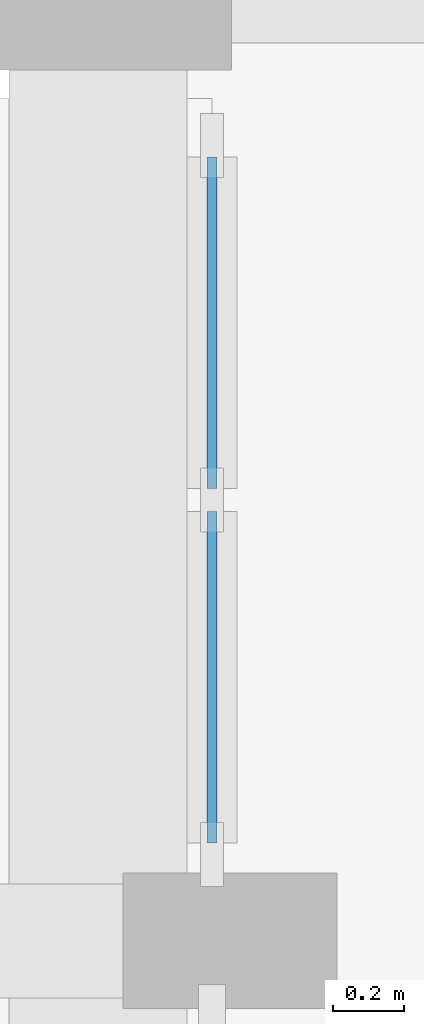
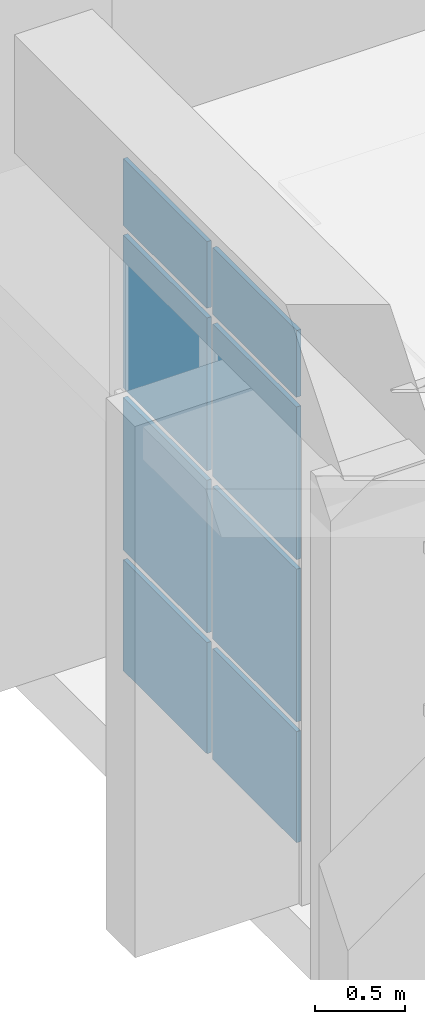
# One storey, part 90 of 155: 8 plates, 1 element without a shape of its own.
"""IFC4 building model written with IfcOpenShell, lengths in metres."""

from ifc_helpers import new_model, si_unit, direction, frame, origin, origin_2d, place, context, subcontext, project, spatial, rectangle, extrude, material, layer, layer_set, type_object, element, aggregate, save


model = new_model("IFC4")

# Units and contexts
model_context = context("Model", 3, precision=1e-05, world=origin(), true_north=direction((0.0, 1.0)))
body_context = subcontext(model_context, "Body", "Model", "MODEL_VIEW")
ifc_project = project(units=[si_unit("LENGTHUNIT", "METRE"), si_unit("AREAUNIT", "SQUARE_METRE"), si_unit("VOLUMEUNIT", "CUBIC_METRE"), si_unit("PLANEANGLEUNIT", "RADIAN"), si_unit("MASSUNIT", "GRAM", prefix="KILO")], contexts=[model_context])

# Site, building, storey
site_placement = place(None, origin())
site = spatial("IfcSite", under=ifc_project, at=site_placement, CompositionType="ELEMENT")
building_placement = place(site_placement, origin())
building = spatial("IfcBuilding", under=site, at=building_placement, Name="Tazarka Park Arena", CompositionType="ELEMENT")
storey_placement = place(building_placement, frame((0.0, 0.0, 5.39990234375)))
storey = spatial("IfcBuildingStorey", under=building, at=storey_placement, Name="L01", CompositionType="ELEMENT", Elevation=5.39990234375)

# Curtain wall, plates
ifc_material_1 = material(Name="Aluminium and low-e glass", Category="aluminium")
ifc_layer_1 = layer(ifc_material_1, 0.179931640625, Name="Aluminium and low-e glass")
ifc_layer_set_1 = layer_set([ifc_layer_1], Name="Aluminium and low-e glass")
curtain_wall_type = type_object("IfcCurtainWallType", Name="CW-21", PredefinedType="NOTDEFINED", material=ifc_layer_set_1)
curtain_wall_placement = place(storey_placement, origin())
curtain_wall = element("IfcCurtainWall", 1, at=curtain_wall_placement, inside=storey, type_object=curtain_wall_type, Name="Curtain Wall CWA-L01-141", PredefinedType="NOTDEFINED")
ifc_material_2 = material(Name="Double low-e insulated glazing", Category="glass")
ifc_layer_2 = layer(ifc_material_2, 0.028076171875, Name="Double low-e insulated glazing")
ifc_layer_set_2 = layer_set([ifc_layer_2], Name="Double low-e insulated glazing")
plate_type = type_object("IfcPlateType", Name="CWP-01", PredefinedType="CURTAIN_PANEL", material=ifc_layer_set_2)
plate_1_placement = place(storey_placement, frame((0.320068359375, 53.92138671875, 0.065185546875), z_axis=(0.0, 0.0, 1.0), x_axis=(0.0, 1.0, 0.0)))
plate_1 = element("IfcPlate", 2, at=plate_1_placement, type_object=plate_type, Name="CW-21 panel 1.1", PredefinedType="CURTAIN_PANEL", context=body_context, shape_type="SweptSolid", body=[
    extrude(rectangle(XDim=0.92919921875, YDim=0.028076171875, at=origin_2d()), origin(), (0.0, 0.0, 1.0), 0.75244140625),
])
plate_2_placement = place(storey_placement, frame((0.320068359375, 53.92138671875, 0.8828125), z_axis=(0.0, 0.0, 1.0), x_axis=(0.0, 1.0, 0.0)))
plate_2 = element("IfcPlate", 3, at=plate_2_placement, type_object=plate_type, Name="CW-21 panel 1.2", PredefinedType="CURTAIN_PANEL", context=body_context, shape_type="SweptSolid", body=[
    extrude(rectangle(XDim=0.92919921875, YDim=0.028076171875, at=origin_2d()), origin(), (0.0, 0.0, 1.0), 1.034912109375),
])
plate_3_placement = place(storey_placement, frame((0.320068359375, 53.92138671875, 1.982421875), z_axis=(0.0, 0.0, 1.0), x_axis=(0.0, 1.0, 0.0)))
plate_3 = element("IfcPlate", 4, at=plate_3_placement, type_object=plate_type, Name="CW-21 panel 1.3", PredefinedType="CURTAIN_PANEL", context=body_context, shape_type="SweptSolid", body=[
    extrude(rectangle(XDim=0.92919921875, YDim=0.028076171875, at=origin_2d()), origin(), (0.0, 0.0, 1.0), 1.034912109375),
])
plate_4_placement = place(storey_placement, frame((0.320068359375, 53.92138671875, 3.08251953125), z_axis=(0.0, 0.0, 1.0), x_axis=(0.0, 1.0, 0.0)))
plate_4 = element("IfcPlate", 5, at=plate_4_placement, type_object=plate_type, Name="CW-21 panel 1.4", PredefinedType="CURTAIN_PANEL", context=body_context, shape_type="SweptSolid", body=[
    extrude(rectangle(XDim=0.92919921875, YDim=0.028076171875, at=origin_2d()), origin(), (0.0, 0.0, 1.0), 0.452392578125),
])
plate_5_placement = place(storey_placement, frame((0.320068359375, 54.91552734375, 0.065185546875), z_axis=(0.0, 0.0, 1.0), x_axis=(0.0, 1.0, 0.0)))
plate_5 = element("IfcPlate", 6, at=plate_5_placement, type_object=plate_type, Name="CW-21 panel 2.1", PredefinedType="CURTAIN_PANEL", context=body_context, shape_type="SweptSolid", body=[
    extrude(rectangle(XDim=0.92919921875, YDim=0.028076171875, at=origin_2d()), origin(), (0.0, 0.0, 1.0), 0.75244140625),
])
plate_6_placement = place(storey_placement, frame((0.320068359375, 54.91552734375, 0.8828125), z_axis=(0.0, 0.0, 1.0), x_axis=(0.0, 1.0, 0.0)))
plate_6 = element("IfcPlate", 7, at=plate_6_placement, type_object=plate_type, Name="CW-21 panel 2.2", PredefinedType="CURTAIN_PANEL", context=body_context, shape_type="SweptSolid", body=[
    extrude(rectangle(XDim=0.92919921875, YDim=0.028076171875, at=origin_2d()), origin(), (0.0, 0.0, 1.0), 1.034912109375),
])
plate_7_placement = place(storey_placement, frame((0.320068359375, 54.91552734375, 1.982421875), z_axis=(0.0, 0.0, 1.0), x_axis=(0.0, 1.0, 0.0)))
plate_7 = element("IfcPlate", 8, at=plate_7_placement, type_object=plate_type, Name="CW-21 panel 2.3", PredefinedType="CURTAIN_PANEL", context=body_context, shape_type="SweptSolid", body=[
    extrude(rectangle(XDim=0.92919921875, YDim=0.028076171875, at=origin_2d()), origin(), (0.0, 0.0, 1.0), 1.034912109375),
])
plate_8_placement = place(storey_placement, frame((0.320068359375, 54.91552734375, 3.08251953125), z_axis=(0.0, 0.0, 1.0), x_axis=(0.0, 1.0, 0.0)))
plate_8 = element("IfcPlate", 9, at=plate_8_placement, type_object=plate_type, Name="CW-21 panel 2.4", PredefinedType="CURTAIN_PANEL", context=body_context, shape_type="SweptSolid", body=[
    extrude(rectangle(XDim=0.92919921875, YDim=0.028076171875, at=origin_2d()), origin(), (0.0, 0.0, 1.0), 0.452392578125),
])
aggregate(curtain_wall, [plate_1, plate_2, plate_3, plate_4, plate_5, plate_6, plate_7, plate_8])

save(model, "model.ifc")
